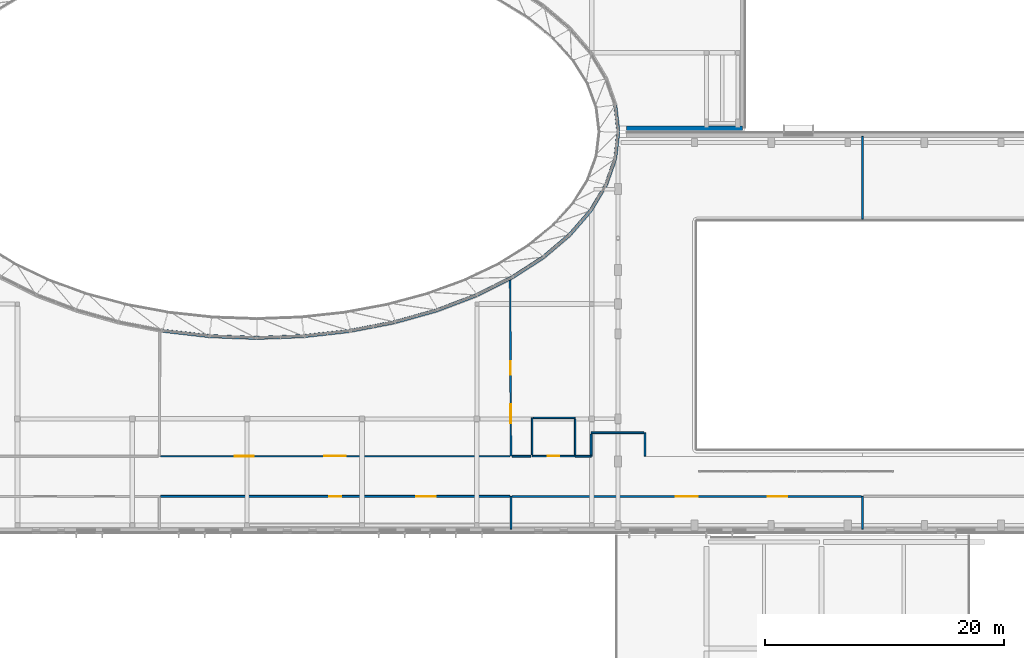
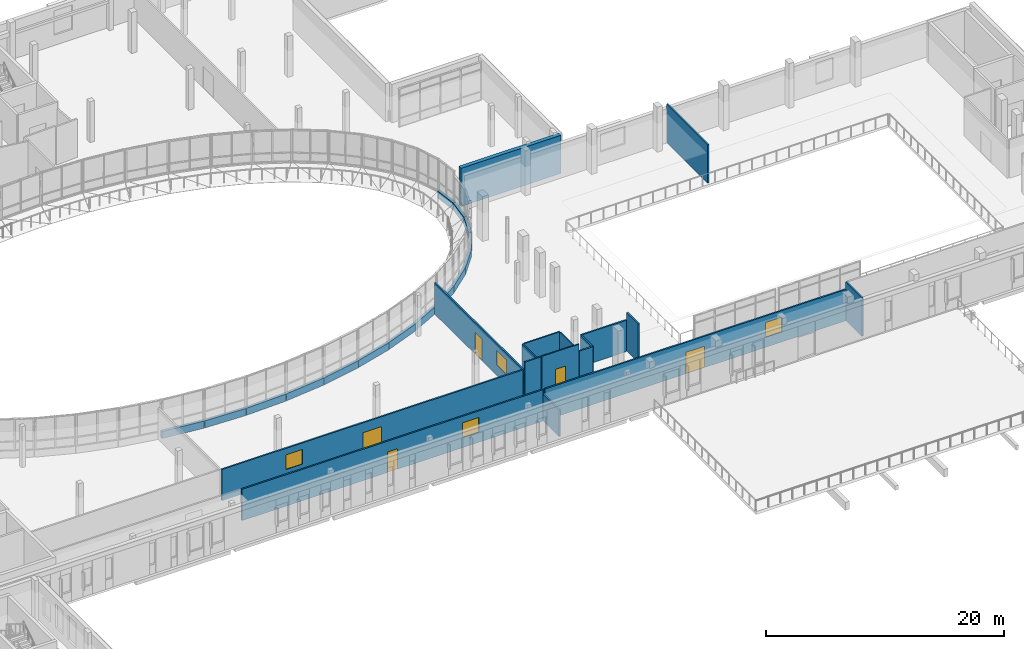
# One storey, part 42 of 73: 32 walls, 5 doors, 4 windows, 9 openings.
"""IFC4 building model written with IfcOpenShell, lengths in metres."""

from ifc_helpers import new_model, si_unit, direction, frame, frame_2d, origin, place, context, subcontext, project, spatial, rectangle, extrude, material, layer, layer_set, type_object, element, fill, save


model = new_model("IFC4")

# Units and contexts
model_context = context("Model", 3, precision=1e-05, world=origin(), true_north=direction((0.0, 1.0)))
body_context = subcontext(model_context, "Body", "Model", "MODEL_VIEW")
ifc_project = project(units=[si_unit("LENGTHUNIT", "METRE"), si_unit("AREAUNIT", "SQUARE_METRE"), si_unit("VOLUMEUNIT", "CUBIC_METRE"), si_unit("PLANEANGLEUNIT", "RADIAN"), si_unit("MASSUNIT", "GRAM", prefix="KILO")], contexts=[model_context])

# Site, building, storey
site_placement = place(None, origin())
site = spatial("IfcSite", under=ifc_project, at=site_placement, CompositionType="ELEMENT")
building_placement = place(site_placement, origin())
building = spatial("IfcBuilding", under=site, at=building_placement, Name="Mzevani Central Library", CompositionType="ELEMENT")
storey_placement = place(building_placement, frame((0.0, 0.0, 9.60009765625)))
storey = spatial("IfcBuildingStorey", under=building, at=storey_placement, Name="L02", CompositionType="ELEMENT", Elevation=9.60009765625)

# Walls
ifc_material_1 = material(Name="Precast concrete C40/50", Category="concrete")
ifc_layer_1 = layer(ifc_material_1, 0.280029296875, Name="Court Spandrel Wall 280")
ifc_layer_set_1 = layer_set([ifc_layer_1], Name="Precast concrete C40/50")
wall_type_1 = type_object("IfcWallType", Name="Court Spandrel Wall 280", PredefinedType="STANDARD", material=ifc_layer_set_1)
wall_1_placement = place(storey_placement, frame((114.2197265625, 76.00830078125, 0.0), z_axis=(0.0, 0.0, 1.0), x_axis=(-0.114794080666, 0.993389308904, 0.0)))
element("IfcWall", 1, at=wall_1_placement, inside=storey, type_object=wall_type_1, Name="L02 Elliptical Court Spandrel 1", PredefinedType="STANDARD", context=body_context, shape_type="SweptSolid", body=[
    extrude(rectangle(XDim=2.2353515625, YDim=0.280029296875, at=frame_2d((1.11767578125, 0.0))), origin(), (0.0, 0.0, 1.0), 0.719970703125),
])
wall_2_placement = place(storey_placement, frame((76.16259765625, 59.35986328125, 0.0), z_axis=(0.0, 0.0, 1.0), x_axis=(0.993693182807, -0.112133217394, 0.0)))
element("IfcWall", 2, at=wall_2_placement, inside=storey, type_object=wall_type_1, Name="L02 Elliptical Court Spandrel 35", PredefinedType="STANDARD", context=body_context, shape_type="SweptSolid", body=[
    extrude(rectangle(XDim=3.873291015625, YDim=0.280029296875, at=frame_2d((1.9365234375, 0.0))), origin(), (0.0, 0.0, 1.0), 0.719970703125),
])
for number, where, z_axis, x_axis, name in (
    (3, (80.05908203125, 58.914794921875, 0.0), (0.0, 0.0, 1.0), (0.99930790262, -0.037198330083, 0.0), "L02 Elliptical Court Spandrel 36"),
    (4, (84.025390625, 58.76904296875, 0.0), (0.0, 0.0, 1.0), (0.99930790262, 0.037198330083, 0.0), "L02 Elliptical Court Spandrel 37"),
):
    element("IfcWall", number, at=place(storey_placement, frame(where, z_axis=z_axis, x_axis=x_axis)), inside=storey, type_object=wall_type_1, Name=name, PredefinedType="STANDARD", context=body_context, shape_type="SweptSolid", body=[
        extrude(rectangle(XDim=3.918212890625, YDim=0.280029296875, at=frame_2d((1.958984375, 0.0))), origin(), (0.0, 0.0, 1.0), 0.719970703125),
    ])
wall_3_placement = place(storey_placement, frame((87.988525390625, 58.925537109375, 0.0), z_axis=(0.0, 0.0, 1.0), x_axis=(0.993693182807, 0.112133217394, 0.0)))
element("IfcWall", 5, at=wall_3_placement, inside=storey, type_object=wall_type_1, Name="L02 Elliptical Court Spandrel 38", PredefinedType="STANDARD", context=body_context, shape_type="SweptSolid", body=[
    extrude(rectangle(XDim=3.873291015625, YDim=0.280029296875, at=frame_2d((1.9365234375, 0.0))), origin(), (0.0, 0.0, 1.0), 0.719970703125),
])
wall_4_placement = place(storey_placement, frame((91.877685546875, 59.378662109375, 0.0), z_axis=(0.0, 0.0, 1.0), x_axis=(0.981969613273, 0.189038828311, 0.0)))
element("IfcWall", 6, at=wall_4_placement, inside=storey, type_object=wall_type_1, Name="L02 Elliptical Court Spandrel 39", PredefinedType="STANDARD", context=body_context, shape_type="SweptSolid", body=[
    extrude(rectangle(XDim=3.783935546875, YDim=0.280029296875, at=frame_2d((1.89208984375, 0.0))), origin(), (0.0, 0.0, 1.0), 0.719970703125),
])
wall_5_placement = place(storey_placement, frame((95.625, 60.11669921875, 0.0), z_axis=(0.0, 0.0, 1.0), x_axis=(0.963054168118, 0.269307759395, 0.0)))
element("IfcWall", 7, at=wall_5_placement, inside=storey, type_object=wall_type_1, Name="L02 Elliptical Court Spandrel 40", PredefinedType="STANDARD", context=body_context, shape_type="SweptSolid", body=[
    extrude(rectangle(XDim=3.654296875, YDim=0.280029296875, at=frame_2d((1.8271484375, 0.0))), origin(), (0.0, 0.0, 1.0), 0.719970703125),
])
wall_6_placement = place(storey_placement, frame((99.167724609375, 61.12451171875, 0.0), z_axis=(0.0, 0.0, 1.0), x_axis=(0.935124674426, 0.354318844092, 0.0)))
element("IfcWall", 8, at=wall_6_placement, inside=storey, type_object=wall_type_1, Name="L02 Elliptical Court Spandrel 41", PredefinedType="STANDARD", context=body_context, shape_type="SweptSolid", body=[
    extrude(rectangle(XDim=3.4892578125, YDim=0.280029296875, at=frame_2d((1.74462890625, 0.0))), origin(), (0.0, 0.0, 1.0), 0.719970703125),
])
wall_7_placement = place(storey_placement, frame((102.447509765625, 62.3837890625, 0.0), z_axis=(0.0, 0.0, 1.0), x_axis=(0.89538829801, 0.44528619537, 0.0)))
element("IfcWall", 9, at=wall_7_placement, inside=storey, type_object=wall_type_1, Name="L02 Elliptical Court Spandrel 42", PredefinedType="STANDARD", context=body_context, shape_type="SweptSolid", body=[
    extrude(rectangle(XDim=3.295166015625, YDim=0.280029296875, at=frame_2d((1.6474609375, 0.0))), origin(), (0.0, 0.0, 1.0), 0.719970703125),
])
wall_8_placement = place(storey_placement, frame((105.41015625, 63.87255859375, 0.0), z_axis=(0.0, 0.0, 1.0), x_axis=(0.839733807204, 0.54299828088, 0.0)))
element("IfcWall", 10, at=wall_8_placement, inside=storey, type_object=wall_type_1, Name="L02 Elliptical Court Spandrel 43", PredefinedType="STANDARD", context=body_context, shape_type="SweptSolid", body=[
    extrude(rectangle(XDim=3.081298828125, YDim=0.280029296875, at=frame_2d((1.54052734375, 0.0))), origin(), (0.0, 0.0, 1.0), 0.719970703125),
])
wall_9_placement = place(storey_placement, frame((108.00634765625, 65.565673828125, 0.0), z_axis=(0.0, 0.0, 1.0), x_axis=(0.762423614177, 0.647078227531, 0.0)))
element("IfcWall", 11, at=wall_9_placement, inside=storey, type_object=wall_type_1, Name="L02 Elliptical Court Spandrel 44", PredefinedType="STANDARD", context=body_context, shape_type="SweptSolid", body=[
    extrude(rectangle(XDim=2.859619140625, YDim=0.280029296875, at=frame_2d((1.4296875, 0.0))), origin(), (0.0, 0.0, 1.0), 0.719970703125),
])
wall_10_placement = place(storey_placement, frame((110.192626953125, 67.4345703125, 0.0), z_axis=(0.0, 0.0, 1.0), x_axis=(0.656194711624, 0.754591611693, 0.0)))
element("IfcWall", 12, at=wall_10_placement, inside=storey, type_object=wall_type_1, Name="L02 Elliptical Court Spandrel 45", PredefinedType="STANDARD", context=body_context, shape_type="SweptSolid", body=[
    extrude(rectangle(XDim=2.64501953125, YDim=0.280029296875, at=frame_2d((1.322509765625, 0.0))), origin(), (0.0, 0.0, 1.0), 0.719970703125),
])
wall_11_placement = place(storey_placement, frame((111.932373046875, 69.447998046875, 0.0), z_axis=(0.0, 0.0, 1.0), x_axis=(0.513603793852, 0.858027472137, 0.0)))
element("IfcWall", 13, at=wall_11_placement, inside=storey, type_object=wall_type_1, Name="L02 Elliptical Court Spandrel 46", PredefinedType="STANDARD", context=body_context, shape_type="SweptSolid", body=[
    extrude(rectangle(XDim=2.4560546875, YDim=0.280029296875, at=frame_2d((1.22802734375, 0.0))), origin(), (0.0, 0.0, 1.0), 0.719970703125),
])
wall_12_placement = place(storey_placement, frame((113.1962890625, 71.572265625, 0.0), z_axis=(0.0, 0.0, 1.0), x_axis=(0.331008570157, 0.943627747834, 0.0)))
element("IfcWall", 14, at=wall_12_placement, inside=storey, type_object=wall_type_1, Name="L02 Elliptical Court Spandrel 47", PredefinedType="STANDARD", context=body_context, shape_type="SweptSolid", body=[
    extrude(rectangle(XDim=2.31298828125, YDim=0.280029296875, at=frame_2d((1.156494140625, 0.0))), origin(), (0.0, 0.0, 1.0), 0.719970703125),
])
wall_13_placement = place(storey_placement, frame((113.963134765625, 73.771240234375, 0.0), z_axis=(0.0, 0.0, 1.0), x_axis=(0.114794080666, 0.993389308904, 0.0)))
element("IfcWall", 15, at=wall_13_placement, inside=storey, type_object=wall_type_1, Name="L02 Elliptical Court Spandrel 48", PredefinedType="STANDARD", context=body_context, shape_type="SweptSolid", body=[
    extrude(rectangle(XDim=2.2353515625, YDim=0.280029296875, at=frame_2d((1.11767578125, 0.0))), origin(), (0.0, 0.0, 1.0), 0.719970703125),
])
ifc_layer_2 = layer(ifc_material_1, 0.3798828125, Name="Exterior Thermal Concrete Wall 380")
ifc_layer_set_2 = layer_set([ifc_layer_2], Name="Precast concrete C40/50")
wall_type_2 = type_object("IfcWallType", Name="Exterior Thermal Concrete Wall 380", PredefinedType="STANDARD", material=ifc_layer_set_2)
wall_14_placement = place(storey_placement, frame((124.610107421875, 76.2900390625, 0.0), z_axis=(0.0, 0.0, 1.0), x_axis=(-1.0, 0.0, 0.0)))
element("IfcWall", 16, at=wall_14_placement, inside=storey, type_object=wall_type_2, Name="L02 V3 Exterior Thermal Wall (60)", PredefinedType="STANDARD", context=body_context, shape_type="SweptSolid", body=[
    extrude(rectangle(XDim=9.687255859375, YDim=0.3798828125, at=frame_2d((4.84375, 0.0))), origin(), (0.0, 0.0, 1.0), 3.919921875),
])

# Wall, opening, door
ifc_material_2 = material(Name="Fire-rated gypsum board", Category="gypsum")
ifc_layer_3 = layer(ifc_material_2, 0.1201171875, Name="Partition Acoustic 120")
ifc_layer_set_3 = layer_set([ifc_layer_3], Name="Fire-rated gypsum board")
wall_type_3 = type_object("IfcWallType", Name="Partition Acoustic 120", PredefinedType="PARTITIONING", material=ifc_layer_set_3)
wall_15_placement = place(storey_placement, frame((110.617919921875, 48.8798828125, 0.0), z_axis=(0.0, 0.0, 1.0), x_axis=(-1.0, 0.0, 0.0)))
wall_15 = element("IfcWall", 17, at=wall_15_placement, inside=storey, type_object=wall_type_3, Name="L02 V1 Partition IW-02 (363)", PredefinedType="PARTITIONING", context=body_context, shape_type="SweptSolid", body=[
    extrude(rectangle(XDim=3.599853515625, YDim=0.1201171875, at=frame_2d((1.7998046875, 0.0))), origin(), (0.0, 0.0, 1.0), 3.93994140625),
])
opening_1_placement = place(wall_15_placement, frame((1.324951171875, 0.0, 0.0)))
opening_1 = element("IfcOpeningElement", 18, at=opening_1_placement, cuts=wall_15, Name="Opening ID-02", PredefinedType="OPENING", context=body_context, shape_type="SweptSolid", body=[
    extrude(rectangle(XDim=0.949951171875, YDim=2.14990234375, at=frame_2d((0.47509765625, 1.074951171875))), frame((0.0, 0.070068359375, 0.0), z_axis=(0.0, -1.0, 0.0), x_axis=(1.0, 0.0, 0.0)), (0.0, 0.0, 1.0), 0.14013671875),
])
ifc_material_3 = material(Name="Fire-rated solid oak leaf")
door_type_1 = type_object("IfcDoorType", Name="Accessible WC Door 950x2150", OperationType="NOTDEFINED", PredefinedType="DOOR", material=ifc_material_3)
door_1_placement = place(opening_1_placement, origin())
door_1 = element("IfcDoor", 19, at=door_1_placement, inside=storey, type_object=door_type_1, Name="L02 Accessible WC and Public Toilet V1 Door", OperationType="SINGLE_SWING_LEFT", OverallHeight=2.14990234375, OverallWidth=0.949951171875, PredefinedType="DOOR", context=body_context, shape_type="SweptSolid", body=[
    extrude(rectangle(XDim=0.949951171875, YDim=2.14990234375, at=frame_2d((0.47509765625, 1.074951171875))), frame((0.0, 0.02490234375, 0.0), z_axis=(0.0, -1.0, 0.0), x_axis=(1.0, 0.0, 0.0)), (0.0, 0.0, 1.0), 0.050048828125),
])
fill(opening_1, door_1)

# Walls
wall_16_placement = place(storey_placement, frame((107.01806640625, 48.97998046875, 0.0), z_axis=(0.0, 0.0, 1.0), x_axis=(0.0, 1.0, 0.0)))
element("IfcWall", 20, at=wall_16_placement, inside=storey, type_object=wall_type_3, Name="L02 V1 Partition IW-02 (364)", PredefinedType="PARTITIONING", context=body_context, shape_type="SweptSolid", body=[
    extrude(rectangle(XDim=3.10009765625, YDim=0.1201171875, at=frame_2d((1.550048828125, 0.0))), origin(), (0.0, 0.0, 1.0), 3.27001953125),
])
wall_17_placement = place(storey_placement, frame((107.117919921875, 52.080078125, 0.0), z_axis=(0.0, 0.0, 1.0), x_axis=(1.0, 0.0, 0.0)))
element("IfcWall", 21, at=wall_17_placement, inside=storey, type_object=wall_type_3, Name="L02 V1 Partition IW-02 (365)", PredefinedType="PARTITIONING", context=body_context, shape_type="SweptSolid", body=[
    extrude(rectangle(XDim=3.5, YDim=0.1201171875, at=frame_2d((1.75, 0.0))), origin(), (0.0, 0.0, 1.0), 3.27001953125),
])
wall_18_placement = place(storey_placement, frame((110.617919921875, 51.97998046875, 0.0), z_axis=(0.0, 0.0, 1.0), x_axis=(0.0, -1.0, 0.0)))
element("IfcWall", 22, at=wall_18_placement, inside=storey, type_object=wall_type_3, Name="L02 V1 Partition IW-02 (366)", PredefinedType="PARTITIONING", context=body_context, shape_type="SweptSolid", body=[
    extrude(rectangle(XDim=3.0, YDim=0.1201171875, at=frame_2d((1.5, 0.0))), origin(), (0.0, 0.0, 1.0), 3.27001953125),
])

# Wall, openings, window, door
ifc_layer_4 = layer(ifc_material_2, 0.14990234375, Name="Partition Study 150")
ifc_layer_set_4 = layer_set([ifc_layer_4], Name="Fire-rated gypsum board")
wall_type_4 = type_object("IfcWallType", Name="Partition Study 150", PredefinedType="PARTITIONING", material=ifc_layer_set_4)
wall_19_placement = place(storey_placement, frame((105.17919921875, 63.607666015625, 0.0), z_axis=(0.0, 0.0, 1.0), x_axis=(0.004807238278, -0.999988445163, 0.0)))
wall_19 = element("IfcWall", 23, at=wall_19_placement, inside=storey, type_object=wall_type_4, Name="L02 V1 Partition IW-03 (371)", PredefinedType="PARTITIONING", context=body_context, shape_type="SweptSolid", body=[
    extrude(rectangle(XDim=14.72802734375, YDim=0.14990234375, at=frame_2d((7.364013671875, 0.0))), origin(), (0.0, 0.0, 1.0), 3.219970703125),
])
opening_2_placement = place(wall_19_placement, frame((6.81396484375, 0.0, 0.0)))
opening_2 = element("IfcOpeningElement", 24, at=opening_2_placement, cuts=wall_19, Name="Opening ID-08", PredefinedType="OPENING", context=body_context, shape_type="SweptSolid", body=[
    extrude(rectangle(XDim=1.10009765625, YDim=2.199951171875, at=frame_2d((0.550048828125, 1.10009765625))), frame((0.0, 0.0849609375, 0.0), z_axis=(0.0, -1.0, 0.0), x_axis=(1.0, 0.0, 0.0)), (0.0, 0.0, 1.0), 0.169921875),
])
opening_3_placement = place(wall_19_placement, frame((10.39306640625, 0.0, 1.050048828125)))
opening_3 = element("IfcOpeningElement", 25, at=opening_3_placement, cuts=wall_19, Name="Opening IW-W01", PredefinedType="OPENING", context=body_context, shape_type="SweptSolid", body=[
    extrude(rectangle(XDim=1.60009765625, YDim=1.5, at=frame_2d((0.800048828125, 0.75))), frame((0.0, 0.0849609375, 0.0), z_axis=(0.0, -1.0, 0.0), x_axis=(1.0, 0.0, 0.0)), (0.0, 0.0, 1.0), 0.169921875),
])
ifc_material_4 = material(Name="Low-E triple glazing glass", Category="glass")
window_type = type_object("IfcWindowType", Name="Interior Borrowed Light 1600x1500", PartitioningType="SINGLE_PANEL", PredefinedType="WINDOW", material=ifc_material_4)
window_1_placement = place(opening_3_placement, origin())
window_1 = element("IfcWindow", 26, at=window_1_placement, inside=storey, type_object=window_type, Name="L02 Cartographic Folio Reading Room Acoustic Borrowed Light", OverallHeight=1.5, OverallWidth=1.60009765625, PartitioningType="SINGLE_PANEL", PredefinedType="WINDOW", context=body_context, shape_type="SweptSolid", body=[
    extrude(rectangle(XDim=1.60009765625, YDim=1.5, at=frame_2d((0.800048828125, 0.75))), frame((0.0, 0.030029296875, 0.0), z_axis=(0.0, -1.0, 0.0), x_axis=(1.0, 0.0, 0.0)), (0.0, 0.0, 1.0), 0.06005859375),
])
fill(opening_3, window_1)
door_type_2 = type_object("IfcDoorType", Name="Seminar Room Door 1100x2200", OperationType="NOTDEFINED", PredefinedType="DOOR", material=ifc_material_3)
door_2_placement = place(opening_2_placement, origin())
door_2 = element("IfcDoor", 27, at=door_2_placement, inside=storey, type_object=door_type_2, Name="L02 Cartographic Folio Reading Room Door", OperationType="SINGLE_SWING_LEFT", OverallHeight=2.199951171875, OverallWidth=1.10009765625, PredefinedType="DOOR", context=body_context, shape_type="SweptSolid", body=[
    extrude(rectangle(XDim=1.10009765625, YDim=2.199951171875, at=frame_2d((0.550048828125, 1.10009765625))), frame((0.0, 0.02490234375, 0.0), z_axis=(0.0, -1.0, 0.0), x_axis=(1.0, 0.0, 0.0)), (0.0, 0.0, 1.0), 0.050048828125),
])
fill(opening_2, door_2)

# Wall, openings, door, window
wall_20_placement = place(storey_placement, frame((105.14990234375, 48.8798828125, 0.0), z_axis=(0.0, 0.0, 1.0), x_axis=(-1.0, 0.0, 0.0)))
wall_20 = element("IfcWall", 28, at=wall_20_placement, inside=storey, type_object=wall_type_4, Name="L02 V1 Partition IW-03 (372)", PredefinedType="PARTITIONING", context=body_context, shape_type="SweptSolid", body=[
    extrude(rectangle(XDim=29.184814453125, YDim=0.14990234375, at=frame_2d((14.59228515625, 0.0))), origin(), (0.0, 0.0, 1.0), 3.219970703125),
])
opening_4_placement = place(wall_20_placement, frame((13.6923828125, 0.0, 0.0)))
opening_4 = element("IfcOpeningElement", 29, at=opening_4_placement, cuts=wall_20, Name="Opening FD-06", PredefinedType="OPENING", context=body_context, shape_type="SweptSolid", body=[
    extrude(rectangle(XDim=1.800048828125, YDim=2.199951171875, at=frame_2d((0.89990234375, 1.10009765625))), frame((0.0, 0.0849609375, 0.0), z_axis=(0.0, -1.0, 0.0), x_axis=(1.0, 0.0, 0.0)), (0.0, 0.0, 1.0), 0.169921875),
])
opening_5_placement = place(wall_20_placement, frame((21.380615234375, 0.0, 1.050048828125)))
opening_5 = element("IfcOpeningElement", 30, at=opening_5_placement, cuts=wall_20, Name="Opening IW-W01", PredefinedType="OPENING", context=body_context, shape_type="SweptSolid", body=[
    extrude(rectangle(XDim=1.60009765625, YDim=1.5, at=frame_2d((0.800048828125, 0.75))), frame((0.0, 0.0849609375, 0.0), z_axis=(0.0, -1.0, 0.0), x_axis=(1.0, 0.0, 0.0)), (0.0, 0.0, 1.0), 0.169921875),
])
ifc_material_5 = material(Name="Fire-rated steel door assembly", Category="steel")
door_type_3 = type_object("IfcDoorType", Name="Fire Corridor Double Door 1800x2200", OperationType="NOTDEFINED", PredefinedType="DOOR", material=ifc_material_5)
door_3_placement = place(opening_4_placement, origin())
door_3 = element("IfcDoor", 31, at=door_3_placement, inside=storey, type_object=door_type_3, Name="L02 Art and Architecture Folio Salon Door", OperationType="DOUBLE_DOOR_SINGLE_SWING", OverallHeight=2.199951171875, OverallWidth=1.800048828125, PredefinedType="DOOR", context=body_context, shape_type="SweptSolid", body=[
    extrude(rectangle(XDim=1.800048828125, YDim=2.199951171875, at=frame_2d((0.89990234375, 1.10009765625))), frame((0.0, 0.02490234375, 0.0), z_axis=(0.0, -1.0, 0.0), x_axis=(1.0, 0.0, 0.0)), (0.0, 0.0, 1.0), 0.050048828125),
])
fill(opening_4, door_3)
window_2_placement = place(opening_5_placement, origin())
window_2 = element("IfcWindow", 32, at=window_2_placement, inside=storey, type_object=window_type, Name="L02 Art and Architecture Folio Salon Acoustic Borrowed Light", OverallHeight=1.5, OverallWidth=1.60009765625, PartitioningType="SINGLE_PANEL", PredefinedType="WINDOW", context=body_context, shape_type="SweptSolid", body=[
    extrude(rectangle(XDim=1.60009765625, YDim=1.5, at=frame_2d((0.800048828125, 0.75))), frame((0.0, 0.030029296875, 0.0), z_axis=(0.0, -1.0, 0.0), x_axis=(1.0, 0.0, 0.0)), (0.0, 0.0, 1.0), 0.06005859375),
])
fill(opening_5, window_2)

# Wall
wall_21_placement = place(storey_placement, frame((105.25, 45.52001953125, 0.0), z_axis=(0.0, 0.0, 1.0), x_axis=(0.0, -1.0, 0.0)))
element("IfcWall", 33, at=wall_21_placement, inside=storey, type_object=wall_type_4, Name="L02 V1 Partition IW-03 (373)", PredefinedType="PARTITIONING", context=body_context, shape_type="SweptSolid", body=[
    extrude(rectangle(XDim=2.72998046875, YDim=0.14990234375, at=frame_2d((1.364990234375, 0.0))), origin(), (0.0, 0.0, 1.0), 2.71484375),
])

# Wall, openings, window, door
wall_22_placement = place(storey_placement, frame((75.965087890625, 45.52001953125, 0.0), z_axis=(0.0, 0.0, 1.0), x_axis=(1.0, 0.0, 0.0)))
wall_22 = element("IfcWall", 34, at=wall_22_placement, inside=storey, type_object=wall_type_4, Name="L02 V1 Partition IW-03 (374)", PredefinedType="PARTITIONING", context=body_context, shape_type="SweptSolid", body=[
    extrude(rectangle(XDim=29.184814453125, YDim=0.14990234375, at=frame_2d((14.59228515625, 0.0))), origin(), (0.0, 0.0, 1.0), 3.219970703125),
])
opening_6_placement = place(wall_22_placement, frame((14.092529296875, 0.0, 0.0)))
opening_6 = element("IfcOpeningElement", 35, at=opening_6_placement, cuts=wall_22, Name="Opening ID-03", PredefinedType="OPENING", context=body_context, shape_type="SweptSolid", body=[
    extrude(rectangle(XDim=1.0, YDim=2.10009765625, at=frame_2d((0.5, 1.050048828125))), frame((0.0, 0.0849609375, 0.0), z_axis=(0.0, -1.0, 0.0), x_axis=(1.0, 0.0, 0.0)), (0.0, 0.0, 1.0), 0.169921875),
])
opening_7_placement = place(wall_22_placement, frame((21.380615234375, 0.0, 1.050048828125)))
opening_7 = element("IfcOpeningElement", 36, at=opening_7_placement, cuts=wall_22, Name="Opening IW-W01", PredefinedType="OPENING", context=body_context, shape_type="SweptSolid", body=[
    extrude(rectangle(XDim=1.60009765625, YDim=1.5, at=frame_2d((0.800048828125, 0.75))), frame((0.0, 0.0849609375, 0.0), z_axis=(0.0, -1.0, 0.0), x_axis=(1.0, 0.0, 0.0)), (0.0, 0.0, 1.0), 0.169921875),
])
window_3_placement = place(opening_7_placement, origin())
window_3 = element("IfcWindow", 37, at=window_3_placement, inside=storey, type_object=window_type, Name="L02 Sheet Music and Listening Room Acoustic Borrowed Light", OverallHeight=1.5, OverallWidth=1.60009765625, PartitioningType="SINGLE_PANEL", PredefinedType="WINDOW", context=body_context, shape_type="SweptSolid", body=[
    extrude(rectangle(XDim=1.60009765625, YDim=1.5, at=frame_2d((0.800048828125, 0.75))), frame((0.0, 0.030029296875, 0.0), z_axis=(0.0, -1.0, 0.0), x_axis=(1.0, 0.0, 0.0)), (0.0, 0.0, 1.0), 0.06005859375),
])
fill(opening_7, window_3)
door_type_4 = type_object("IfcDoorType", Name="Quiet Study Carrel Door 1000x2100", OperationType="NOTDEFINED", PredefinedType="DOOR", material=ifc_material_3)
door_4_placement = place(opening_6_placement, origin())
door_4 = element("IfcDoor", 38, at=door_4_placement, inside=storey, type_object=door_type_4, Name="L02 Sheet Music and Listening Room Door", OperationType="SINGLE_SWING_RIGHT", OverallHeight=2.10009765625, OverallWidth=1.0, PredefinedType="DOOR", context=body_context, shape_type="SweptSolid", body=[
    extrude(rectangle(XDim=1.0, YDim=2.10009765625, at=frame_2d((0.5, 1.050048828125))), frame((0.0, 0.02490234375, 0.0), z_axis=(0.0, -1.0, 0.0), x_axis=(1.0, 0.0, 0.0)), (0.0, 0.0, 1.0), 0.050048828125),
])
fill(opening_6, door_4)

# Walls
wall_23_placement = place(storey_placement, frame((134.635009765625, 75.610107421875, 0.0), z_axis=(0.0, 0.0, 1.0), x_axis=(0.0, -1.0, 0.0)))
element("IfcWall", 39, at=wall_23_placement, inside=storey, type_object=wall_type_4, Name="L02 V1 Partition IW-03 (375)", PredefinedType="PARTITIONING", context=body_context, shape_type="SweptSolid", body=[
    extrude(rectangle(XDim=6.91015625, YDim=0.14990234375, at=frame_2d((3.455078125, 0.0))), origin(), (0.0, 0.0, 1.0), 3.93994140625),
])
wall_24_placement = place(storey_placement, frame((116.449951171875, 48.8798828125, 0.0), z_axis=(0.0, 0.0, 1.0), x_axis=(0.0, 1.0, 0.0)))
element("IfcWall", 40, at=wall_24_placement, inside=storey, type_object=wall_type_4, Name="L02 V1 Partition IW-03 (376)", PredefinedType="PARTITIONING", context=body_context, shape_type="SweptSolid", body=[
    extrude(rectangle(XDim=1.953125, YDim=0.14990234375, at=frame_2d((0.9765625, 0.0))), origin(), (0.0, 0.0, 1.0), 3.93994140625),
])
wall_25_placement = place(storey_placement, frame((116.35009765625, 50.8330078125, 0.0), z_axis=(0.0, 0.0, 1.0), x_axis=(-1.0, 0.0, 0.0)))
element("IfcWall", 41, at=wall_25_placement, inside=storey, type_object=wall_type_4, Name="L02 V1 Partition IW-03 (377)", PredefinedType="PARTITIONING", context=body_context, shape_type="SweptSolid", body=[
    extrude(rectangle(XDim=4.400146484375, YDim=0.14990234375, at=frame_2d((2.2001953125, 0.0))), origin(), (0.0, 0.0, 1.0), 3.219970703125),
])
wall_26_placement = place(storey_placement, frame((111.949951171875, 50.73291015625, 0.0), z_axis=(0.0, 0.0, 1.0), x_axis=(0.0, -1.0, 0.0)))
element("IfcWall", 42, at=wall_26_placement, inside=storey, type_object=wall_type_4, Name="L02 V1 Partition IW-03 (378)", PredefinedType="PARTITIONING", context=body_context, shape_type="SweptSolid", body=[
    extrude(rectangle(XDim=1.85302734375, YDim=0.14990234375, at=frame_2d((0.926513671875, 0.0))), origin(), (0.0, 0.0, 1.0), 3.219970703125),
])
wall_27_placement = place(storey_placement, frame((111.949951171875, 48.8798828125, 0.0), z_axis=(0.0, 0.0, 1.0), x_axis=(-1.0, 0.0, 0.0)))
element("IfcWall", 43, at=wall_27_placement, inside=storey, type_object=wall_type_4, Name="L02 V1 Partition IW-03 (379)", PredefinedType="PARTITIONING", context=body_context, shape_type="SweptSolid", body=[
    extrude(rectangle(XDim=1.33203125, YDim=0.14990234375, at=frame_2d((0.666015625, 0.0))), origin(), (0.0, 0.0, 1.0), 3.219970703125),
])
wall_28_placement = place(storey_placement, frame((106.91796875, 48.8798828125, 0.0), z_axis=(0.0, 0.0, 1.0), x_axis=(-1.0, 0.0, 0.0)))
element("IfcWall", 44, at=wall_28_placement, inside=storey, type_object=wall_type_4, Name="L02 V1 Partition IW-03 (380)", PredefinedType="PARTITIONING", context=body_context, shape_type="SweptSolid", body=[
    extrude(rectangle(XDim=1.56787109375, YDim=0.14990234375, at=frame_2d((0.783935546875, 0.0))), origin(), (0.0, 0.0, 1.0), 3.93994140625),
])
wall_29_placement = place(storey_placement, frame((134.635009765625, 45.52001953125, 0.0), z_axis=(0.0, 0.0, 1.0), x_axis=(0.0, -1.0, 0.0)))
element("IfcWall", 45, at=wall_29_placement, inside=storey, type_object=wall_type_4, Name="L02 V1 Partition IW-03 (381)", PredefinedType="PARTITIONING", context=body_context, shape_type="SweptSolid", body=[
    extrude(rectangle(XDim=2.72998046875, YDim=0.14990234375, at=frame_2d((1.364990234375, 0.0))), origin(), (0.0, 0.0, 1.0), 3.93994140625),
])

# Wall, openings, door, window
wall_30_placement = place(storey_placement, frame((105.35009765625, 45.52001953125, 0.0), z_axis=(0.0, 0.0, 1.0), x_axis=(1.0, 0.0, 0.0)))
wall_30 = element("IfcWall", 46, at=wall_30_placement, inside=storey, type_object=wall_type_4, Name="L02 V1 Partition IW-03 (382)", PredefinedType="PARTITIONING", context=body_context, shape_type="SweptSolid", body=[
    extrude(rectangle(XDim=29.184814453125, YDim=0.14990234375, at=frame_2d((14.59228515625, 0.0))), origin(), (0.0, 0.0, 1.0), 3.219970703125),
])
opening_8_placement = place(wall_30_placement, frame((13.6923828125, 0.0, 0.0)))
opening_8 = element("IfcOpeningElement", 47, at=opening_8_placement, cuts=wall_30, Name="Opening FD-06", PredefinedType="OPENING", context=body_context, shape_type="SweptSolid", body=[
    extrude(rectangle(XDim=1.800048828125, YDim=2.199951171875, at=frame_2d((0.89990234375, 1.10009765625))), frame((0.0, 0.0849609375, 0.0), z_axis=(0.0, -1.0, 0.0), x_axis=(1.0, 0.0, 0.0)), (0.0, 0.0, 1.0), 0.169921875),
])
opening_9_placement = place(wall_30_placement, frame((21.380615234375, 0.0, 1.050048828125)))
opening_9 = element("IfcOpeningElement", 48, at=opening_9_placement, cuts=wall_30, Name="Opening IW-W01", PredefinedType="OPENING", context=body_context, shape_type="SweptSolid", body=[
    extrude(rectangle(XDim=1.60009765625, YDim=1.5, at=frame_2d((0.800048828125, 0.75))), frame((0.0, 0.0849609375, 0.0), z_axis=(0.0, -1.0, 0.0), x_axis=(1.0, 0.0, 0.0)), (0.0, 0.0, 1.0), 0.169921875),
])
door_5_placement = place(opening_8_placement, origin())
door_5 = element("IfcDoor", 49, at=door_5_placement, inside=storey, type_object=door_type_3, Name="L02 Gridshell Panorama Reading Gallery 2 Door", OperationType="DOUBLE_DOOR_SINGLE_SWING", OverallHeight=2.199951171875, OverallWidth=1.800048828125, PredefinedType="DOOR", context=body_context, shape_type="SweptSolid", body=[
    extrude(rectangle(XDim=1.800048828125, YDim=2.199951171875, at=frame_2d((0.89990234375, 1.10009765625))), frame((0.0, 0.02490234375, 0.0), z_axis=(0.0, -1.0, 0.0), x_axis=(1.0, 0.0, 0.0)), (0.0, 0.0, 1.0), 0.050048828125),
])
fill(opening_8, door_5)
window_4_placement = place(opening_9_placement, origin())
window_4 = element("IfcWindow", 50, at=window_4_placement, inside=storey, type_object=window_type, Name="L02 Gridshell Panorama Reading Gallery 2 Acoustic Borrowed Light", OverallHeight=1.5, OverallWidth=1.60009765625, PartitioningType="SINGLE_PANEL", PredefinedType="WINDOW", context=body_context, shape_type="SweptSolid", body=[
    extrude(rectangle(XDim=1.60009765625, YDim=1.5, at=frame_2d((0.800048828125, 0.75))), frame((0.0, 0.030029296875, 0.0), z_axis=(0.0, -1.0, 0.0), x_axis=(1.0, 0.0, 0.0)), (0.0, 0.0, 1.0), 0.06005859375),
])
fill(opening_9, window_4)

save(model, "model.ifc")
